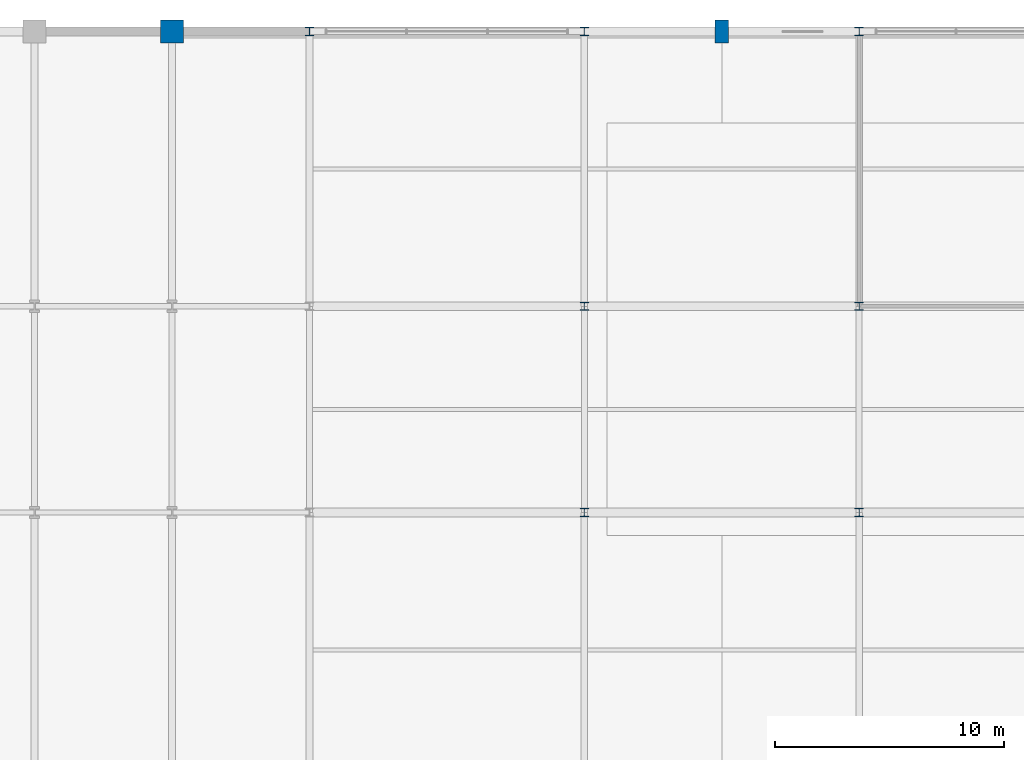
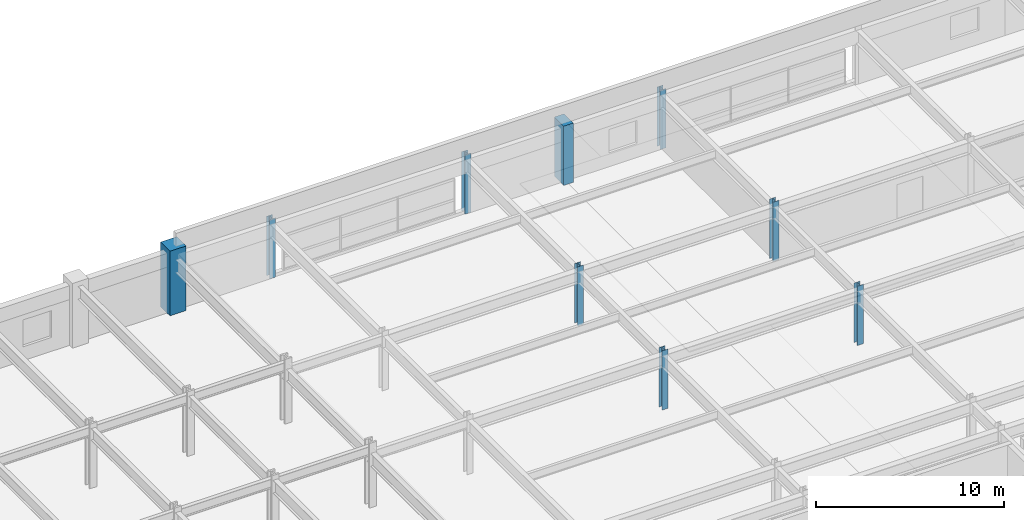
# One storey, part 14 of 108: 9 columns.
"""IFC4 building model written with IfcOpenShell, lengths in metres."""

from ifc_helpers import new_model, si_unit, direction, frame, origin, origin_2d, place, context, subcontext, project, spatial, rectangle, i_section, extrude, material, material_profile, profile_set, type_object, element, save


model = new_model("IFC4")

# Units and contexts
model_context = context("Model", 3, precision=1e-05, world=origin(), true_north=direction((0.0, 1.0)))
body_context = subcontext(model_context, "Body", "Model", "MODEL_VIEW")
ifc_project = project(units=[si_unit("LENGTHUNIT", "METRE"), si_unit("AREAUNIT", "SQUARE_METRE"), si_unit("VOLUMEUNIT", "CUBIC_METRE"), si_unit("PLANEANGLEUNIT", "RADIAN"), si_unit("MASSUNIT", "GRAM", prefix="KILO")], contexts=[model_context])

# Site, building, storey
site_placement = place(None, origin())
site = spatial("IfcSite", under=ifc_project, at=site_placement, CompositionType="ELEMENT")
building_placement = place(site_placement, origin())
building = spatial("IfcBuilding", under=site, at=building_placement, Name="Kaldorvane Square Convention Centre", CompositionType="ELEMENT")
storey_placement = place(building_placement, frame((0.0, 0.0, 23.399993896484375)))
storey = spatial("IfcBuildingStorey", under=building, at=storey_placement, Name="L04", CompositionType="ELEMENT", Elevation=23.399993896484375)

# Columns
ifc_material_1 = material(Name="Concrete f'c = 55 MPa (Normalweight)", Category="concrete")
ifc_material_profile_1 = material_profile(ifc_material_1, rectangle(XDim=1.0, YDim=1.0, at=origin_2d()), Name="RC1000X1000")
ifc_profile_set_1 = profile_set([ifc_material_profile_1], Name="Concrete f'c = 55 MPa (Normalweight)")
column_type_1 = type_object("IfcColumnType", Name="COL-RC-1000", PredefinedType="COLUMN", material=ifc_profile_set_1)
column_1_placement = place(storey_placement, frame((96.0, 117.0, 0.0), z_axis=(0.0, 0.0, 1.0), x_axis=(1.0, 0.0, 0.0)))
element("IfcColumn", 1, at=column_1_placement, inside=storey, type_object=column_type_1, Name="Column CC-02 (L04)", PredefinedType="COLUMN", context=body_context, shape_type="SweptSolid", body=[
    extrude(rectangle(XDim=1.0, YDim=1.0, at=origin_2d()), origin(), (0.0, 0.0, 1.0), 4.20001220703125),
])
ifc_material_2 = material(Name="Steel ASTM A992 Gr. 50", Category="steel")
ifc_material_profile_2 = material_profile(ifc_material_2, i_section(OverallWidth=0.3701019287109375, OverallDepth=0.360198974609375, WebThickness=0.012298583984375, FlangeThickness=0.019805908203125, FilletRadius=0.0305023193359375, at=origin_2d()), Name="W14X99")
ifc_profile_set_2 = profile_set([ifc_material_profile_2], Name="Steel ASTM A992 Gr. 50")
column_type_2 = type_object("IfcColumnType", Name="COL-STL-99", PredefinedType="COLUMN", material=ifc_profile_set_2)
for number, where, z_axis, x_axis, name in (
    (2, (102.0, 117.0, 0.0), (0.0, 0.0, 1.0), (1.0, 0.0, 0.0), "Column SC-12 (L04)"),
    (3, (114.0, 96.0, 0.0), (0.0, 0.0, 1.0), (1.0, 0.0, 0.0), "Column SC-12 (L04)"),
    (4, (114.0, 105.0, 0.0), (0.0, 0.0, 1.0), (1.0, 0.0, 0.0), "Column SC-12 (L04)"),
    (5, (114.0, 117.0, 0.0), (0.0, 0.0, 1.0), (1.0, 0.0, 0.0), "Column SC-12 (L04)"),
    (6, (126.0, 96.0, 0.0), (0.0, 0.0, 1.0), (1.0, 0.0, 0.0), "Column SC-12 (L04)"),
    (7, (126.0, 105.0, 0.0), (0.0, 0.0, 1.0), (1.0, 0.0, 0.0), "Column SC-12 (L04)"),
    (8, (126.0, 117.0, 0.0), (0.0, 0.0, 1.0), (1.0, 0.0, 0.0), "Column SC-12 (L04)"),
):
    element("IfcColumn", number, at=place(storey_placement, frame(where, z_axis=z_axis, x_axis=x_axis)), inside=storey, type_object=column_type_2, Name=name, PredefinedType="COLUMN", context=body_context, shape_type="SweptSolid", body=[
        extrude(i_section(OverallWidth=0.3701019287109375, OverallDepth=0.360198974609375, WebThickness=0.012298583984375, FlangeThickness=0.019805908203125, FilletRadius=0.0305023193359375, at=origin_2d()), origin(), (0.0, 0.0, 1.0), 3.850006103515625),
    ])
ifc_material_profile_3 = material_profile(ifc_material_1, rectangle(XDim=0.600006103515625, YDim=1.0, at=origin_2d()), Name="PIL1000X600")
ifc_profile_set_3 = profile_set([ifc_material_profile_3], Name="Concrete f'c = 55 MPa (Normalweight)")
column_type_3 = type_object("IfcColumnType", Name="PIL-BRUT-1000", PredefinedType="PILASTER", material=ifc_profile_set_3)
column_2_placement = place(storey_placement, frame((120.0, 117.0, 0.0), z_axis=(0.0, 0.0, 1.0), x_axis=(1.0, 0.0, 0.0)))
element("IfcColumn", 9, at=column_2_placement, inside=storey, type_object=column_type_3, Name="Brutalist Colonnade Pilaster (L04)", PredefinedType="PILASTER", context=body_context, shape_type="SweptSolid", body=[
    extrude(rectangle(XDim=0.600006103515625, YDim=1.0, at=origin_2d()), origin(), (0.0, 0.0, 1.0), 3.850006103515625),
])

save(model, "model.ifc")
